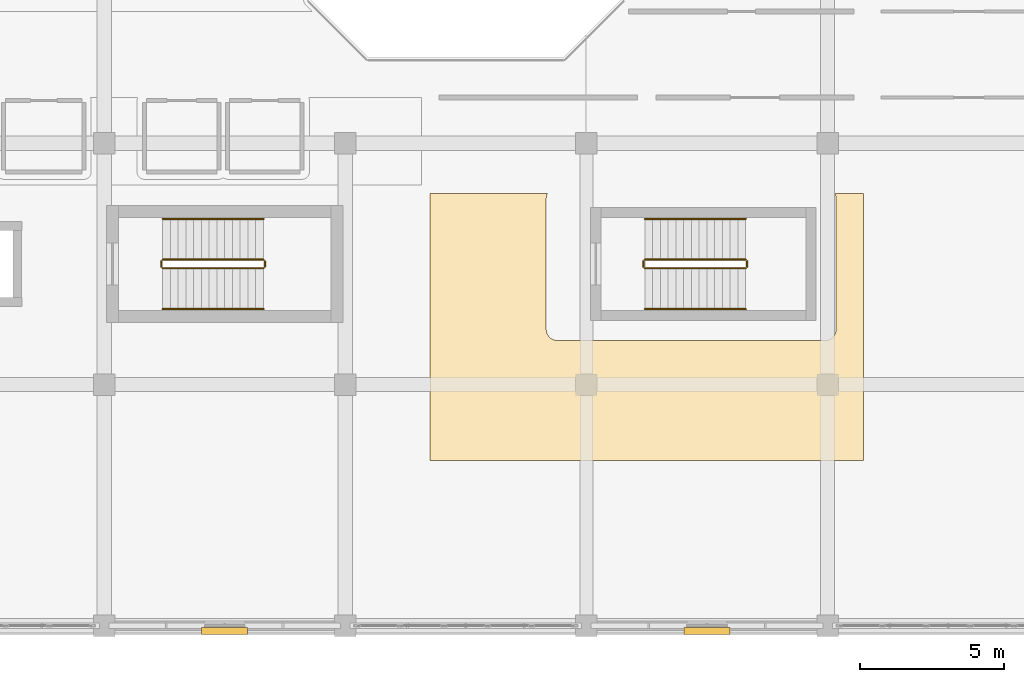
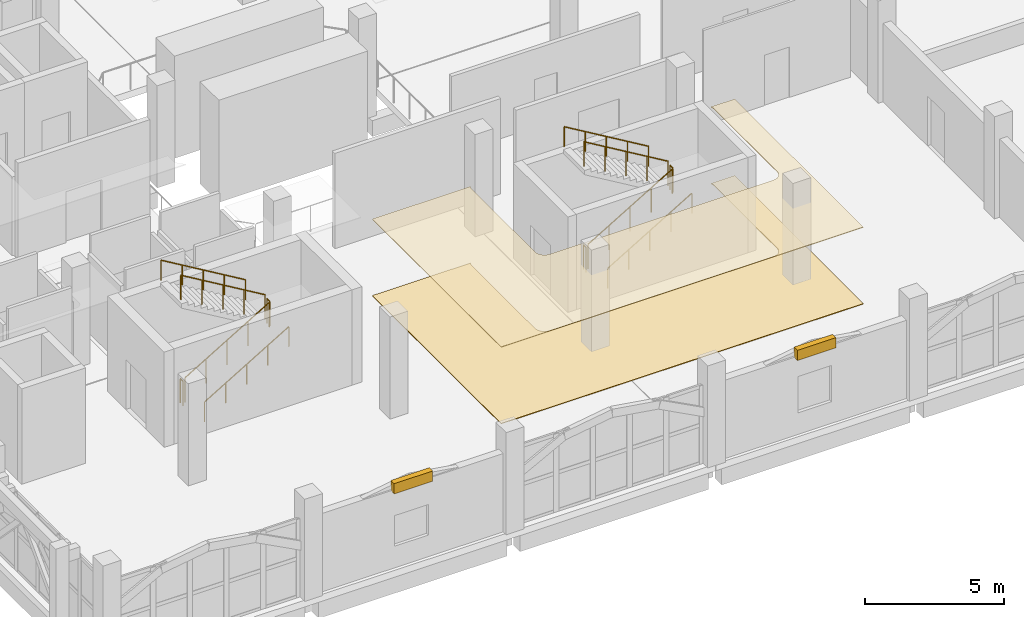
# One storey, part 30 of 34: 12 railings, 2 coverings, 2 shading devices.
"""IFC4 building model written with IfcOpenShell, lengths in metres."""

from ifc_helpers import new_model, si_unit, direction, frame, origin, origin_2d, place, context, subcontext, project, spatial, polyline, rectangle, circle, outline, extrude, material, layer, layer_set, type_object, element, save


model = new_model("IFC4")

# Units and contexts
model_context = context("Model", 3, precision=1e-05, world=origin(), true_north=direction((0.0, 1.0)))
body_context = subcontext(model_context, "Body", "Model", "MODEL_VIEW")
ifc_project = project(units=[si_unit("LENGTHUNIT", "METRE"), si_unit("AREAUNIT", "SQUARE_METRE"), si_unit("VOLUMEUNIT", "CUBIC_METRE"), si_unit("PLANEANGLEUNIT", "RADIAN"), si_unit("MASSUNIT", "GRAM", prefix="KILO")], contexts=[model_context])

# Site, building, storey
site_placement = place(None, origin())
site = spatial("IfcSite", under=ifc_project, at=site_placement, CompositionType="ELEMENT")
building_placement = place(site_placement, origin())
building = spatial("IfcBuilding", under=site, at=building_placement, Name="Xazarin Passage Department Store", CompositionType="ELEMENT")
storey_placement = place(building_placement, frame((0.0, 0.0, 18.89990234375)))
storey = spatial("IfcBuildingStorey", under=building, at=storey_placement, Name="L04", CompositionType="ELEMENT", Elevation=18.89990234375)

# Coverings
ifc_material_1 = material(Name="Acoustic mineral ceiling")
ifc_layer_1 = layer(ifc_material_1, 0.030029296875)
ifc_layer_set_1 = layer_set([ifc_layer_1], Name="Acoustic mineral ceiling")
covering_type_1 = type_object("IfcCoveringType", Name="ARC-COV-CLG030", PredefinedType="CEILING", material=ifc_layer_set_1)
covering_1_placement = place(storey_placement, frame((0.0, 0.0, 3.3701171875)))
element("IfcCovering", 1, at=covering_1_placement, inside=storey, type_object=covering_type_1, Name="L04 Homeware Showroom Acoustic Ceiling", PredefinedType="CEILING", context=body_context, shape_type="SweptSolid", body=[
    extrude(outline(polyline([(33.856689453125, 83.050048828125), (33.86962890625, 83.023193359375), (33.8828125, 82.986083984375), (33.892333984375, 82.947998046875), (33.898193359375, 82.9091796875), (33.89990234375, 82.8701171875), (33.89990234375, 78.330078125), (33.898193359375, 78.290771484375), (33.892333984375, 78.251953125), (33.8828125, 78.2138671875), (33.86962890625, 78.177001953125), (33.852783203125, 78.141357421875), (33.83251953125, 78.10791015625), (33.80908203125, 78.076171875), (33.78271484375, 78.047119140625), (33.75390625, 78.020751953125), (33.72216796875, 77.997314453125), (33.688720703125, 77.977294921875), (33.653076171875, 77.96044921875), (33.6162109375, 77.947265625), (33.577880859375, 77.937744140625), (33.539306640625, 77.931884765625), (33.5, 77.929931640625), (24.199951171875, 77.929931640625), (24.160888671875, 77.931884765625), (24.1220703125, 77.937744140625), (24.083984375, 77.947265625), (24.046875, 77.96044921875), (24.011474609375, 77.977294921875), (23.977783203125, 77.997314453125), (23.9462890625, 78.020751953125), (23.917236328125, 78.047119140625), (23.890869140625, 78.076171875), (23.867431640625, 78.10791015625), (23.84716796875, 78.141357421875), (23.830322265625, 78.177001953125), (23.817138671875, 78.2138671875), (23.8076171875, 78.251953125), (23.802001953125, 78.290771484375), (23.800048828125, 78.330078125), (23.800048828125, 82.8701171875), (23.802001953125, 82.9091796875), (23.8076171875, 82.947998046875), (23.817138671875, 82.986083984375), (23.830322265625, 83.023193359375), (23.84326171875, 83.050048828125), (19.75, 83.050048828125), (19.75, 73.75), (34.85009765625, 73.75), (34.85009765625, 83.050048828125), (33.856689453125, 83.050048828125)])), origin(), (0.0, 0.0, 1.0), 0.030029296875),
])
ifc_material_2 = material(Name="Terrazzo stone flooring", Category="masonry")
ifc_layer_2 = layer(ifc_material_2, 0.02490234375)
ifc_layer_set_2 = layer_set([ifc_layer_2], Name="Terrazzo stone flooring")
covering_type_2 = type_object("IfcCoveringType", Name="ARC-COV-FLR025", PredefinedType="FLOORING", material=ifc_layer_set_2)
covering_2_placement = place(storey_placement, origin())
element("IfcCovering", 2, at=covering_2_placement, inside=storey, type_object=covering_type_2, Name="L04 Homeware Showroom Terrazzo Flooring", PredefinedType="FLOORING", context=body_context, shape_type="SweptSolid", body=[
    extrude(outline(polyline([(33.856689453125, 83.050048828125), (33.86962890625, 83.023193359375), (33.8828125, 82.986083984375), (33.892333984375, 82.947998046875), (33.898193359375, 82.9091796875), (33.89990234375, 82.8701171875), (33.89990234375, 78.330078125), (33.898193359375, 78.290771484375), (33.892333984375, 78.251953125), (33.8828125, 78.2138671875), (33.86962890625, 78.177001953125), (33.852783203125, 78.141357421875), (33.83251953125, 78.10791015625), (33.80908203125, 78.076171875), (33.78271484375, 78.047119140625), (33.75390625, 78.020751953125), (33.72216796875, 77.997314453125), (33.688720703125, 77.977294921875), (33.653076171875, 77.96044921875), (33.6162109375, 77.947265625), (33.577880859375, 77.937744140625), (33.539306640625, 77.931884765625), (33.5, 77.929931640625), (24.199951171875, 77.929931640625), (24.160888671875, 77.931884765625), (24.1220703125, 77.937744140625), (24.083984375, 77.947265625), (24.046875, 77.96044921875), (24.011474609375, 77.977294921875), (23.977783203125, 77.997314453125), (23.9462890625, 78.020751953125), (23.917236328125, 78.047119140625), (23.890869140625, 78.076171875), (23.867431640625, 78.10791015625), (23.84716796875, 78.141357421875), (23.830322265625, 78.177001953125), (23.817138671875, 78.2138671875), (23.8076171875, 78.251953125), (23.802001953125, 78.290771484375), (23.800048828125, 78.330078125), (23.800048828125, 82.8701171875), (23.802001953125, 82.9091796875), (23.8076171875, 82.947998046875), (23.817138671875, 82.986083984375), (23.830322265625, 83.023193359375), (23.84326171875, 83.050048828125), (19.75, 83.050048828125), (19.75, 73.75), (34.85009765625, 73.75), (34.85009765625, 83.050048828125), (33.856689453125, 83.050048828125)])), origin(), (0.0, 0.0, 1.0), 0.025146484375),
])

# Railings
ifc_material_3 = material(Name="Steel S355", Category="steel")
railing_type_1 = type_object("IfcRailingType", Name="ARC-RL-GRD112", PredefinedType="GUARDRAIL", material=ifc_material_3)
railing_1_placement = place(storey_placement, frame((10.43994140625, 80.449951171875, 0.160888671875)))
element("IfcRailing", 3, at=railing_1_placement, inside=storey, type_object=railing_type_1, Name="L04 ST1 stair guard 1", PredefinedType="GUARDRAIL", context=body_context, shape_type="SweptSolid", body=[
    extrude(circle(Radius=0.02392578125, at=origin_2d()), frame((0.0, 0.0, 1.076171875), z_axis=(0.859312273368, 0.0, 0.511451284914), x_axis=(0.0, 1.0, 0.0)), (0.0, 0.0, 1.0), 4.084716796875),
    extrude(circle(Radius=0.02099609375, at=origin_2d()), origin(), (0.0, 0.0, 1.0), 1.0517578125),
    extrude(circle(Radius=0.02099609375, at=origin_2d()), frame((0.87744140625, 0.0, 0.522216796875)), (0.0, 0.0, 1.0), 1.0517578125),
    extrude(circle(Radius=0.02099609375, at=origin_2d()), frame((1.7548828125, 0.0, 1.04443359375)), (0.0, 0.0, 1.0), 1.0517578125),
    extrude(circle(Radius=0.02099609375, at=origin_2d()), frame((2.632568359375, 0.0, 1.56689453125)), (0.0, 0.0, 1.0), 1.0517578125),
    extrude(circle(Radius=0.02099609375, at=origin_2d()), frame((3.510009765625, 0.0, 2.089111328125)), (0.0, 0.0, 1.0), 1.0517578125),
])
railing_2_placement = place(storey_placement, frame((14.0, 80.5, 2.25)))
element("IfcRailing", 4, at=railing_2_placement, inside=storey, type_object=railing_type_1, Name="L04 ST1 stair guard 2", PredefinedType="GUARDRAIL", context=body_context, shape_type="SweptSolid", body=[
    extrude(circle(Radius=0.02392578125, at=origin_2d()), frame((0.0, 0.0, 1.076171875), z_axis=(0.0, 1.0, 0.0), x_axis=(-1.0, 0.0, 0.0)), (0.0, 0.0, 1.0), 0.199951171875),
    extrude(circle(Radius=0.02099609375, at=origin_2d()), origin(), (0.0, 0.0, 1.0), 1.0517578125),
    extrude(circle(Radius=0.02099609375, at=origin_2d()), frame((0.0, 0.199951171875, 0.0)), (0.0, 0.0, 1.0), 1.0517578125),
])
railing_3_placement = place(storey_placement, frame((13.949951171875, 80.75, 2.410888671875)))
element("IfcRailing", 5, at=railing_3_placement, inside=storey, type_object=railing_type_1, Name="L04 ST1 stair guard 3", PredefinedType="GUARDRAIL", context=body_context, shape_type="SweptSolid", body=[
    extrude(circle(Radius=0.02392578125, at=origin_2d()), frame((0.0, 0.0, 1.076171875), z_axis=(-0.859312273368, 0.0, 0.511451284914), x_axis=(0.0, -1.0, 0.0)), (0.0, 0.0, 1.0), 4.084716796875),
    extrude(circle(Radius=0.02099609375, at=origin_2d()), origin(), (0.0, 0.0, 1.0), 1.0517578125),
    extrude(circle(Radius=0.02099609375, at=origin_2d()), frame((-0.87744140625, 0.0, 0.522216796875)), (0.0, 0.0, 1.0), 1.0517578125),
    extrude(circle(Radius=0.02099609375, at=origin_2d()), frame((-1.7548828125, 0.0, 1.04443359375)), (0.0, 0.0, 1.0), 1.0517578125),
    extrude(circle(Radius=0.02099609375, at=origin_2d()), frame((-2.632568359375, 0.0, 1.56689453125)), (0.0, 0.0, 1.0), 1.0517578125),
    extrude(circle(Radius=0.02099609375, at=origin_2d()), frame((-3.510009765625, 0.0, 2.089111328125)), (0.0, 0.0, 1.0), 1.0517578125),
])
railing_4_placement = place(storey_placement, frame((10.389892578125, 80.5, 0.0)))
element("IfcRailing", 6, at=railing_4_placement, inside=storey, type_object=railing_type_1, Name="L04 ST1 stair guard 4", PredefinedType="GUARDRAIL", context=body_context, shape_type="SweptSolid", body=[
    extrude(circle(Radius=0.02392578125, at=origin_2d()), frame((0.0, 0.0, 1.076171875), z_axis=(0.0, 1.0, 0.0), x_axis=(-1.0, 0.0, 0.0)), (0.0, 0.0, 1.0), 0.199951171875),
    extrude(circle(Radius=0.02099609375, at=origin_2d()), origin(), (0.0, 0.0, 1.0), 1.0517578125),
    extrude(circle(Radius=0.02099609375, at=origin_2d()), frame((0.0, 0.199951171875, 0.0)), (0.0, 0.0, 1.0), 1.0517578125),
])
railing_5_placement = place(storey_placement, frame((27.239990234375, 80.449951171875, 0.160888671875)))
element("IfcRailing", 7, at=railing_5_placement, inside=storey, type_object=railing_type_1, Name="L04 ST3 stair guard 1", PredefinedType="GUARDRAIL", context=body_context, shape_type="SweptSolid", body=[
    extrude(circle(Radius=0.02392578125, at=origin_2d()), frame((0.0, 0.0, 1.076171875), z_axis=(0.859312273368, 0.0, 0.511451284914), x_axis=(0.0, 1.0, 0.0)), (0.0, 0.0, 1.0), 4.084716796875),
    extrude(circle(Radius=0.02099609375, at=origin_2d()), origin(), (0.0, 0.0, 1.0), 1.0517578125),
    extrude(circle(Radius=0.02099609375, at=origin_2d()), frame((0.87744140625, 0.0, 0.522216796875)), (0.0, 0.0, 1.0), 1.0517578125),
    extrude(circle(Radius=0.02099609375, at=origin_2d()), frame((1.7548828125, 0.0, 1.04443359375)), (0.0, 0.0, 1.0), 1.0517578125),
    extrude(circle(Radius=0.02099609375, at=origin_2d()), frame((2.632568359375, 0.0, 1.56689453125)), (0.0, 0.0, 1.0), 1.0517578125),
    extrude(circle(Radius=0.02099609375, at=origin_2d()), frame((3.510009765625, 0.0, 2.089111328125)), (0.0, 0.0, 1.0), 1.0517578125),
])
railing_6_placement = place(storey_placement, frame((30.800048828125, 80.5, 2.25)))
element("IfcRailing", 8, at=railing_6_placement, inside=storey, type_object=railing_type_1, Name="L04 ST3 stair guard 2", PredefinedType="GUARDRAIL", context=body_context, shape_type="SweptSolid", body=[
    extrude(circle(Radius=0.02392578125, at=origin_2d()), frame((0.0, 0.0, 1.076171875), z_axis=(0.0, 1.0, 0.0), x_axis=(-1.0, 0.0, 0.0)), (0.0, 0.0, 1.0), 0.199951171875),
    extrude(circle(Radius=0.02099609375, at=origin_2d()), origin(), (0.0, 0.0, 1.0), 1.0517578125),
    extrude(circle(Radius=0.02099609375, at=origin_2d()), frame((0.0, 0.199951171875, 0.0)), (0.0, 0.0, 1.0), 1.0517578125),
])
railing_7_placement = place(storey_placement, frame((30.75, 80.75, 2.410888671875)))
element("IfcRailing", 9, at=railing_7_placement, inside=storey, type_object=railing_type_1, Name="L04 ST3 stair guard 3", PredefinedType="GUARDRAIL", context=body_context, shape_type="SweptSolid", body=[
    extrude(circle(Radius=0.02392578125, at=origin_2d()), frame((0.0, 0.0, 1.076171875), z_axis=(-0.859312273368, 0.0, 0.511451284914), x_axis=(0.0, -1.0, 0.0)), (0.0, 0.0, 1.0), 4.084716796875),
    extrude(circle(Radius=0.02099609375, at=origin_2d()), origin(), (0.0, 0.0, 1.0), 1.0517578125),
    extrude(circle(Radius=0.02099609375, at=origin_2d()), frame((-0.87744140625, 0.0, 0.522216796875)), (0.0, 0.0, 1.0), 1.0517578125),
    extrude(circle(Radius=0.02099609375, at=origin_2d()), frame((-1.7548828125, 0.0, 1.04443359375)), (0.0, 0.0, 1.0), 1.0517578125),
    extrude(circle(Radius=0.02099609375, at=origin_2d()), frame((-2.632568359375, 0.0, 1.56689453125)), (0.0, 0.0, 1.0), 1.0517578125),
    extrude(circle(Radius=0.02099609375, at=origin_2d()), frame((-3.510009765625, 0.0, 2.089111328125)), (0.0, 0.0, 1.0), 1.0517578125),
])
railing_8_placement = place(storey_placement, frame((27.18994140625, 80.5, 0.0)))
element("IfcRailing", 10, at=railing_8_placement, inside=storey, type_object=railing_type_1, Name="L04 ST3 stair guard 4", PredefinedType="GUARDRAIL", context=body_context, shape_type="SweptSolid", body=[
    extrude(circle(Radius=0.02392578125, at=origin_2d()), frame((0.0, 0.0, 1.076171875), z_axis=(0.0, 1.0, 0.0), x_axis=(-1.0, 0.0, 0.0)), (0.0, 0.0, 1.0), 0.199951171875),
    extrude(circle(Radius=0.02099609375, at=origin_2d()), origin(), (0.0, 0.0, 1.0), 1.0517578125),
    extrude(circle(Radius=0.02099609375, at=origin_2d()), frame((0.0, 0.199951171875, 0.0)), (0.0, 0.0, 1.0), 1.0517578125),
])
railing_type_2 = type_object("IfcRailingType", Name="ARC-RL-HND090", PredefinedType="HANDRAIL", material=ifc_material_3)
railing_9_placement = place(storey_placement, frame((10.43994140625, 79.030029296875, 0.160888671875)))
element("IfcRailing", 11, at=railing_9_placement, inside=storey, type_object=railing_type_2, Name="L04 ST1 stair handrail 1", PredefinedType="HANDRAIL", context=body_context, shape_type="SweptSolid", body=[
    extrude(circle(Radius=0.02392578125, at=origin_2d()), frame((0.0, 0.0, 0.8759765625), z_axis=(0.859312273368, 0.0, 0.511451284914), x_axis=(0.0, 1.0, 0.0)), (0.0, 0.0, 1.0), 4.084716796875),
    extrude(circle(Radius=0.02099609375, at=origin_2d()), origin(), (0.0, 0.0, 1.0), 0.8515625),
    extrude(circle(Radius=0.02099609375, at=origin_2d()), frame((0.87744140625, 0.0, 0.522216796875)), (0.0, 0.0, 1.0), 0.8515625),
    extrude(circle(Radius=0.02099609375, at=origin_2d()), frame((1.7548828125, 0.0, 1.04443359375)), (0.0, 0.0, 1.0), 0.8515625),
    extrude(circle(Radius=0.02099609375, at=origin_2d()), frame((2.632568359375, 0.0, 1.56689453125)), (0.0, 0.0, 1.0), 0.8515625),
    extrude(circle(Radius=0.02099609375, at=origin_2d()), frame((3.510009765625, 0.0, 2.089111328125)), (0.0, 0.0, 1.0), 0.8515625),
])
railing_10_placement = place(storey_placement, frame((13.949951171875, 82.169921875, 2.410888671875)))
element("IfcRailing", 12, at=railing_10_placement, inside=storey, type_object=railing_type_2, Name="L04 ST1 stair handrail 2", PredefinedType="HANDRAIL", context=body_context, shape_type="SweptSolid", body=[
    extrude(circle(Radius=0.02392578125, at=origin_2d()), frame((0.0, 0.0, 0.8759765625), z_axis=(-0.859312273368, 0.0, 0.511451284914), x_axis=(0.0, -1.0, 0.0)), (0.0, 0.0, 1.0), 4.084716796875),
    extrude(circle(Radius=0.02099609375, at=origin_2d()), origin(), (0.0, 0.0, 1.0), 0.8515625),
    extrude(circle(Radius=0.02099609375, at=origin_2d()), frame((-0.87744140625, 0.0, 0.522216796875)), (0.0, 0.0, 1.0), 0.8515625),
    extrude(circle(Radius=0.02099609375, at=origin_2d()), frame((-1.7548828125, 0.0, 1.04443359375)), (0.0, 0.0, 1.0), 0.8515625),
    extrude(circle(Radius=0.02099609375, at=origin_2d()), frame((-2.632568359375, 0.0, 1.56689453125)), (0.0, 0.0, 1.0), 0.8515625),
    extrude(circle(Radius=0.02099609375, at=origin_2d()), frame((-3.510009765625, 0.0, 2.089111328125)), (0.0, 0.0, 1.0), 0.8515625),
])
railing_11_placement = place(storey_placement, frame((27.239990234375, 79.030029296875, 0.160888671875)))
element("IfcRailing", 13, at=railing_11_placement, inside=storey, type_object=railing_type_2, Name="L04 ST3 stair handrail 1", PredefinedType="HANDRAIL", context=body_context, shape_type="SweptSolid", body=[
    extrude(circle(Radius=0.02392578125, at=origin_2d()), frame((0.0, 0.0, 0.8759765625), z_axis=(0.859312273368, 0.0, 0.511451284914), x_axis=(0.0, 1.0, 0.0)), (0.0, 0.0, 1.0), 4.084716796875),
    extrude(circle(Radius=0.02099609375, at=origin_2d()), origin(), (0.0, 0.0, 1.0), 0.8515625),
    extrude(circle(Radius=0.02099609375, at=origin_2d()), frame((0.87744140625, 0.0, 0.522216796875)), (0.0, 0.0, 1.0), 0.8515625),
    extrude(circle(Radius=0.02099609375, at=origin_2d()), frame((1.7548828125, 0.0, 1.04443359375)), (0.0, 0.0, 1.0), 0.8515625),
    extrude(circle(Radius=0.02099609375, at=origin_2d()), frame((2.632568359375, 0.0, 1.56689453125)), (0.0, 0.0, 1.0), 0.8515625),
    extrude(circle(Radius=0.02099609375, at=origin_2d()), frame((3.510009765625, 0.0, 2.089111328125)), (0.0, 0.0, 1.0), 0.8515625),
])
railing_12_placement = place(storey_placement, frame((30.75, 82.169921875, 2.410888671875)))
element("IfcRailing", 14, at=railing_12_placement, inside=storey, type_object=railing_type_2, Name="L04 ST3 stair handrail 2", PredefinedType="HANDRAIL", context=body_context, shape_type="SweptSolid", body=[
    extrude(circle(Radius=0.02392578125, at=origin_2d()), frame((0.0, 0.0, 0.8759765625), z_axis=(-0.859312273368, 0.0, 0.511451284914), x_axis=(0.0, -1.0, 0.0)), (0.0, 0.0, 1.0), 4.084716796875),
    extrude(circle(Radius=0.02099609375, at=origin_2d()), origin(), (0.0, 0.0, 1.0), 0.8515625),
    extrude(circle(Radius=0.02099609375, at=origin_2d()), frame((-0.87744140625, 0.0, 0.522216796875)), (0.0, 0.0, 1.0), 0.8515625),
    extrude(circle(Radius=0.02099609375, at=origin_2d()), frame((-1.7548828125, 0.0, 1.04443359375)), (0.0, 0.0, 1.0), 0.8515625),
    extrude(circle(Radius=0.02099609375, at=origin_2d()), frame((-2.632568359375, 0.0, 1.56689453125)), (0.0, 0.0, 1.0), 0.8515625),
    extrude(circle(Radius=0.02099609375, at=origin_2d()), frame((-3.510009765625, 0.0, 2.089111328125)), (0.0, 0.0, 1.0), 0.8515625),
])

# Shading devices
ifc_material_4 = material(Name="Bronze anodised aluminium", Category="aluminium")
ifc_layer_3 = layer(ifc_material_4, 0.080078125)
ifc_layer_set_3 = layer_set([ifc_layer_3], Name="Bronze anodised aluminium")
shading_device_type = type_object("IfcShadingDeviceType", Name="ARC-SHD-LVR", PredefinedType="JALOUSIE", material=ifc_layer_set_3)
for number, where, z_axis, x_axis, name in (
    (15, (12.60009765625, 67.820068359375, 3.375), (0.0, 0.0, 1.0), (1.0, 0.0, 0.0), "L04 V1 Sun Shading Louvre 05"),
    (16, (29.39990234375, 67.81005859375, 3.375), (0.0, 0.0, 1.0), (1.0, 0.0, 0.0), "L04 V1 Sun Shading Louvre 06"),
):
    element("IfcShadingDevice", number, at=place(storey_placement, frame(where, z_axis=z_axis, x_axis=x_axis)), inside=storey, type_object=shading_device_type, Name=name, PredefinedType="JALOUSIE", context=body_context, shape_type="SweptSolid", body=[
        extrude(rectangle(XDim=1.60009765625, YDim=0.239990234375, at=origin_2d()), origin(), (0.0, 0.0, 1.0), 0.449951171875),
    ])

save(model, "model.ifc")
